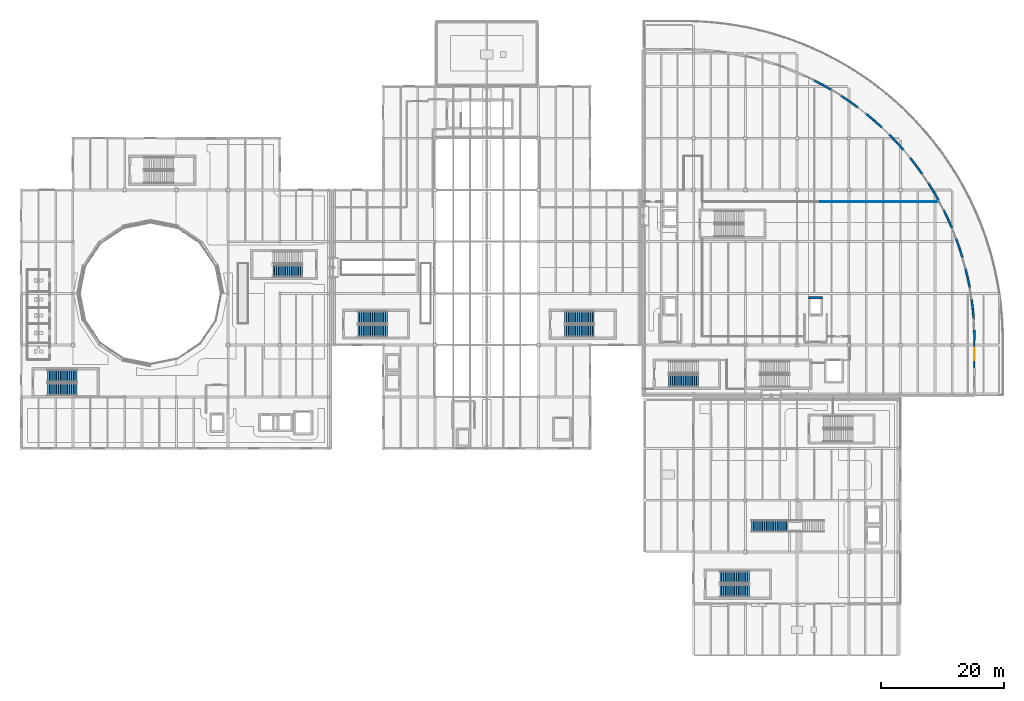
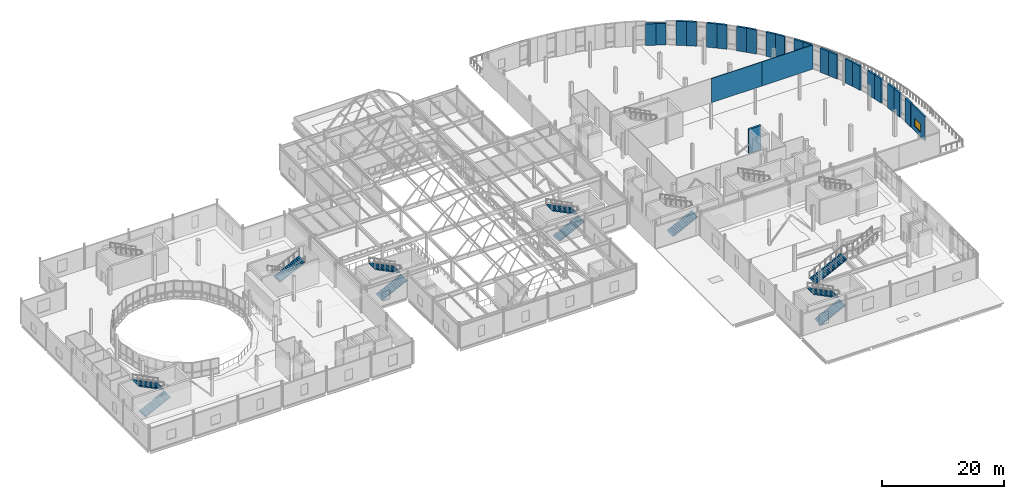
# One storey, part 70 of 103: 25 walls, 11 stair flights, 1 window, 1 opening, 7 elements without a shape of their own.
"""IFC4 building model written with IfcOpenShell, lengths in metres."""

from ifc_helpers import new_model, si_unit, direction, frame, frame_2d, origin, place, context, subcontext, project, spatial, polyline, rectangle, outline, extrude, material, layer, layer_set, type_object, element, fill, aggregate, save


model = new_model("IFC4")

# Units and contexts
model_context = context("Model", 3, precision=1e-05, world=origin(), true_north=direction((0.0, 1.0)))
body_context = subcontext(model_context, "Body", "Model", "MODEL_VIEW")
ifc_project = project(units=[si_unit("LENGTHUNIT", "METRE"), si_unit("AREAUNIT", "SQUARE_METRE"), si_unit("VOLUMEUNIT", "CUBIC_METRE"), si_unit("PLANEANGLEUNIT", "RADIAN"), si_unit("MASSUNIT", "GRAM", prefix="KILO"), si_unit("THERMODYNAMICTEMPERATUREUNIT", "KELVIN")], contexts=[model_context])

# Site, building, storey
site_placement = place(None, origin())
site = spatial("IfcSite", under=ifc_project, at=site_placement, CompositionType="ELEMENT")
building_placement = place(site_placement, origin())
building = spatial("IfcBuilding", under=site, at=building_placement, Name="Lustrewick Department Store", CompositionType="ELEMENT")
storey_placement = place(building_placement, frame((0.0, 0.0, 16.5)))
storey = spatial("IfcBuildingStorey", under=building, at=storey_placement, Name="L04", CompositionType="ELEMENT", Elevation=16.5)

# Wall, opening, window
ifc_material_1 = material(Name="Precast concrete C40", Category="concrete")
ifc_layer_1 = layer(ifc_material_1, 0.239990234375, Name="Precast concrete C40")
ifc_layer_set_1 = layer_set([ifc_layer_1], Name="Precast concrete C40")
wall_type_1 = type_object("IfcWallType", Name="EW01", PredefinedType="STANDARD", material=ifc_layer_set_1)
wall_1_placement = place(storey_placement, frame((163.199951171875, 55.074951171875, 0.0), z_axis=(0.0, 0.0, 1.0), x_axis=(0.0, 1.0, 0.0)))
wall_1 = element("IfcWall", 1, at=wall_1_placement, inside=storey, type_object=wall_type_1, Name="L04 V4 Exterior Wall EW01", PredefinedType="STANDARD", context=body_context, shape_type="SweptSolid", body=[
    extrude(rectangle(XDim=4.525146484375, YDim=0.239990234375, at=frame_2d((2.2626953125, 0.0))), origin(), (0.0, 0.0, 1.0), 4.844970703125),
])
opening_placement = place(wall_1_placement, frame((1.262451171875, 0.0, 0.949951171875)))
opening = element("IfcOpeningElement", 2, at=opening_placement, cuts=wall_1, Name="Opening WN20", PredefinedType="OPENING", context=body_context, shape_type="SweptSolid", body=[
    extrude(rectangle(XDim=2.0, YDim=1.60009765625, at=frame_2d((1.0, 0.800048828125))), frame((0.0, 0.1298828125, 0.0), z_axis=(0.0, -1.0, 0.0), x_axis=(1.0, 0.0, 0.0)), (0.0, 0.0, 1.0), 0.260009765625),
])
ifc_material_2 = material(Name="Thermally broken Low-E triple-glazed window", Category="glass")
window_type = type_object("IfcWindowType", Name="WN20", PartitioningType="DOUBLE_PANEL_VERTICAL", PredefinedType="WINDOW", material=ifc_material_2)
window_placement = place(opening_placement, origin())
window = element("IfcWindow", 3, at=window_placement, inside=storey, type_object=window_type, Name="L04 Art Nouveau Window WN20", OverallHeight=1.60009765625, OverallWidth=2.0, PartitioningType="SINGLE_PANEL", PredefinedType="WINDOW", context=body_context, shape_type="SweptSolid", body=[
    extrude(rectangle(XDim=2.0, YDim=1.60009765625, at=frame_2d((1.0, 0.800048828125))), frame((0.0, 0.030029296875, 0.0), z_axis=(0.0, -1.0, 0.0), x_axis=(1.0, 0.0, 0.0)), (0.0, 0.0, 1.0), 0.06005859375),
])
fill(opening, window)

# Walls
ifc_layer_2 = layer(ifc_material_1, 0.35009765625, Name="Precast concrete C40")
ifc_layer_set_2 = layer_set([ifc_layer_2], Name="Precast concrete C40")
wall_type_2 = type_object("IfcWallType", Name="EW06", PredefinedType="STANDARD", material=ifc_layer_set_2)
for number, where, z_axis, x_axis, name in (
    (4, (163.199951171875, 59.60009765625, 0.0), (0.0, 0.0, 1.0), (-0.017823255339, 0.999841153168, 0.0), "L04 V4 Exterior Wall EW06"),
    (5, (163.07958984375, 62.96728515625, 0.0), (0.0, 0.0, 1.0), (-0.088967876125, 0.996034495898, 0.0), "L04 V4 Exterior Wall EW06"),
):
    element("IfcWall", number, at=place(storey_placement, frame(where, z_axis=z_axis, x_axis=x_axis)), inside=storey, type_object=wall_type_2, Name=name, PredefinedType="STANDARD", context=body_context, shape_type="SweptSolid", body=[
        extrude(rectangle(XDim=1.684814453125, YDim=0.35009765625, at=frame_2d((0.84228515625, 0.0))), origin(), (0.0, 0.0, 1.0), 4.844970703125),
    ])
for number, where, z_axis, x_axis, name in (
    (6, (162.9296875, 64.6455078125, 0.0), (0.0, 0.0, 1.0), (-0.12474799403, 0.992188458906, 0.0), "L04 V4 Exterior Wall EW06"),
    (7, (162.449951171875, 67.98046875, 0.0), (0.0, 0.0, 1.0), (-0.195029298701, 0.980797416722, 0.0), "L04 V4 Exterior Wall EW06"),
    (8, (162.121337890625, 69.633056640625, 0.0), (0.0, 0.0, 1.0), (-0.229935635724, 0.973205838158, 0.0), "L04 V4 Exterior Wall EW06"),
):
    element("IfcWall", number, at=place(storey_placement, frame(where, z_axis=z_axis, x_axis=x_axis)), inside=storey, type_object=wall_type_2, Name=name, PredefinedType="STANDARD", context=body_context, shape_type="SweptSolid", body=[
        extrude(rectangle(XDim=1.68505859375, YDim=0.35009765625, at=frame_2d((0.842529296875, 0.0))), origin(), (0.0, 0.0, 1.0), 4.844970703125),
    ])
wall_2_placement = place(storey_placement, frame((161.2880859375, 72.897705078125, 0.0), z_axis=(0.0, 0.0, 1.0), x_axis=(-0.298786487998, 0.954319985429, 0.0)))
element("IfcWall", 9, at=wall_2_placement, inside=storey, type_object=wall_type_2, Name="L04 V4 Exterior Wall EW06", PredefinedType="STANDARD", context=body_context, shape_type="SweptSolid", body=[
    extrude(rectangle(XDim=1.684814453125, YDim=0.35009765625, at=frame_2d((0.84228515625, 0.0))), origin(), (0.0, 0.0, 1.0), 4.844970703125),
])
for number, where, z_axis, x_axis, name in (
    (10, (160.78466796875, 74.505615234375, 0.0), (0.0, 0.0, 1.0), (-0.332653384624, 0.943049163988, 0.0), "L04 V4 Exterior Wall EW06"),
    (11, (159.607177734375, 77.66259765625, 0.0), (0.0, 0.0, 1.0), (-0.399176402146, 0.9168741462, 0.0), "L04 V4 Exterior Wall EW06"),
    (12, (158.9345703125, 79.20751953125, 0.0), (0.0, 0.0, 1.0), (-0.431496513213, 0.902114604186, 0.0), "L04 V4 Exterior Wall EW06"),
):
    element("IfcWall", number, at=place(storey_placement, frame(where, z_axis=z_axis, x_axis=x_axis)), inside=storey, type_object=wall_type_2, Name=name, PredefinedType="STANDARD", context=body_context, shape_type="SweptSolid", body=[
        extrude(rectangle(XDim=1.68505859375, YDim=0.35009765625, at=frame_2d((0.842529296875, 0.0))), origin(), (0.0, 0.0, 1.0), 4.844970703125),
    ])
for number, where, z_axis, x_axis, name in (
    (13, (157.426513671875, 82.220703125, 0.0), (0.0, 0.0, 1.0), (-0.494843177909, 0.868982295146, 0.0), "L04 V4 Exterior Wall EW06"),
    (14, (156.5927734375, 83.684814453125, 0.0), (0.0, 0.0, 1.0), (-0.525576174536, 0.850746545547, 0.0), "L04 V4 Exterior Wall EW06"),
):
    element("IfcWall", number, at=place(storey_placement, frame(where, z_axis=z_axis, x_axis=x_axis)), inside=storey, type_object=wall_type_2, Name=name, PredefinedType="STANDARD", context=body_context, shape_type="SweptSolid", body=[
        extrude(rectangle(XDim=1.684814453125, YDim=0.35009765625, at=frame_2d((0.84228515625, 0.0))), origin(), (0.0, 0.0, 1.0), 4.844970703125),
    ])
wall_3_placement = place(storey_placement, frame((154.77099609375, 86.519287109375, 0.0), z_axis=(0.0, 0.0, 1.0), x_axis=(-0.584919079299, 0.811091653682, 0.0)))
element("IfcWall", 15, at=wall_3_placement, inside=storey, type_object=wall_type_2, Name="L04 V4 Exterior Wall EW06", PredefinedType="STANDARD", context=body_context, shape_type="SweptSolid", body=[
    extrude(rectangle(XDim=1.68505859375, YDim=0.35009765625, at=frame_2d((0.842529296875, 0.0))), origin(), (0.0, 0.0, 1.0), 4.844970703125),
])
for number, where, z_axis, x_axis, name in (
    (16, (153.785400390625, 87.885986328125, 0.0), (0.0, 0.0, 1.0), (-0.613408761896, 0.78976559233, 0.0), "L04 V4 Exterior Wall EW06"),
    (17, (151.67138671875, 90.509521484375, 0.0), (0.0, 0.0, 1.0), (-0.668275972435, 0.743913452403, 0.0), "L04 V4 Exterior Wall EW06"),
    (18, (150.54541015625, 91.762939453125, 0.0), (0.0, 0.0, 1.0), (-0.694387604377, 0.719601177658, 0.0), "L04 V4 Exterior Wall EW06"),
    (19, (148.162841796875, 94.1455078125, 0.0), (0.0, 0.0, 1.0), (-0.743913452403, 0.668275972435, 0.0), "L04 V4 Exterior Wall EW06"),
    (20, (146.909423828125, 95.271484375, 0.0), (0.0, 0.0, 1.0), (-0.767389239586, 0.641181530432, 0.0), "L04 V4 Exterior Wall EW06"),
):
    element("IfcWall", number, at=place(storey_placement, frame(where, z_axis=z_axis, x_axis=x_axis)), inside=storey, type_object=wall_type_2, Name=name, PredefinedType="STANDARD", context=body_context, shape_type="SweptSolid", body=[
        extrude(rectangle(XDim=1.684814453125, YDim=0.35009765625, at=frame_2d((0.84228515625, 0.0))), origin(), (0.0, 0.0, 1.0), 4.844970703125),
    ])
wall_4_placement = place(storey_placement, frame((144.285888671875, 97.385498046875, 0.0), z_axis=(0.0, 0.0, 1.0), x_axis=(-0.811091653682, 0.584919079299, 0.0)))
element("IfcWall", 21, at=wall_4_placement, inside=storey, type_object=wall_type_2, Name="L04 V4 Exterior Wall EW06", PredefinedType="STANDARD", context=body_context, shape_type="SweptSolid", body=[
    extrude(rectangle(XDim=1.68505859375, YDim=0.35009765625, at=frame_2d((0.842529296875, 0.0))), origin(), (0.0, 0.0, 1.0), 4.844970703125),
])
wall_5_placement = place(storey_placement, frame((142.919189453125, 98.37109375, 0.0), z_axis=(0.0, 0.0, 1.0), x_axis=(-0.831470216374, 0.555569328961, 0.0)))
element("IfcWall", 22, at=wall_5_placement, inside=storey, type_object=wall_type_2, Name="L04 V4 Exterior Wall EW06", PredefinedType="STANDARD", context=body_context, shape_type="SweptSolid", body=[
    extrude(rectangle(XDim=1.684814453125, YDim=0.35009765625, at=frame_2d((0.84228515625, 0.0))), origin(), (0.0, 0.0, 1.0), 4.844970703125),
])
wall_6_placement = place(storey_placement, frame((140.084716796875, 100.192626953125, 0.0), z_axis=(0.0, 0.0, 1.0), x_axis=(-0.868982295146, 0.494843177909, 0.0)))
element("IfcWall", 23, at=wall_6_placement, inside=storey, type_object=wall_type_2, Name="L04 V4 Exterior Wall EW06", PredefinedType="STANDARD", context=body_context, shape_type="SweptSolid", body=[
    extrude(rectangle(XDim=1.684814453125, YDim=0.35009765625, at=frame_2d((0.84228515625, 0.0))), origin(), (0.0, 0.0, 1.0), 4.320068359375),
])
wall_7_placement = place(storey_placement, frame((138.62060546875, 101.0263671875, 0.0), z_axis=(0.0, 0.0, 1.0), x_axis=(-0.886106451713, 0.463481775512, 0.0)))
element("IfcWall", 24, at=wall_7_placement, inside=storey, type_object=wall_type_2, Name="L04 V4 Exterior Wall EW06", PredefinedType="STANDARD", context=body_context, shape_type="SweptSolid", body=[
    extrude(rectangle(XDim=1.68505859375, YDim=0.35009765625, at=frame_2d((0.842529296875, 0.0))), origin(), (0.0, 0.0, 1.0), 4.320068359375),
])
ifc_material_3 = material(Name="Acoustic gypsum stud office partition", Category="gypsum")
ifc_layer_3 = layer(ifc_material_3, 0.1201171875, Name="Acoustic gypsum stud office partition")
ifc_layer_set_3 = layer_set([ifc_layer_3], Name="Acoustic gypsum stud office partition")
wall_type_3 = type_object("IfcWallType", Name="PW07", PredefinedType="PARTITIONING", material=ifc_layer_set_3)
wall_8_placement = place(storey_placement, frame((157.472900390625, 82.088623046875, 0.0), z_axis=(0.0, 0.0, 1.0), x_axis=(-1.0, 0.0, 0.0)))
element("IfcWall", 25, at=wall_8_placement, inside=storey, type_object=wall_type_3, Name="L04 Store Buying Office PW07", PredefinedType="PARTITIONING", context=body_context, shape_type="SweptSolid", body=[
    extrude(rectangle(XDim=9.71728515625, YDim=0.1201171875, at=frame_2d((4.858642578125, 0.0))), origin(), (0.0, 0.0, 1.0), 4.844970703125),
])
wall_9_placement = place(storey_placement, frame((147.755615234375, 82.088623046875, 0.0), z_axis=(0.0, 0.0, 1.0), x_axis=(-1.0, 0.0, 0.0)))
element("IfcWall", 26, at=wall_9_placement, inside=storey, type_object=wall_type_3, Name="L04 Store Buying Office PW07", PredefinedType="PARTITIONING", context=body_context, shape_type="SweptSolid", body=[
    extrude(rectangle(XDim=9.58203125, YDim=0.1201171875, at=frame_2d((4.791015625, 0.0))), origin(), (0.0, 0.0, 1.0), 4.844970703125),
])
ifc_material_4 = material(Name="Concrete C40", Category="concrete")
ifc_layer_4 = layer(ifc_material_4, 0.360107421875, Name="Concrete C40")
ifc_layer_set_4 = layer_set([ifc_layer_4], Name="Concrete C40")
wall_type_4 = type_object("IfcWallType", Name="SW04", PredefinedType="SHEAR", material=ifc_layer_set_4)
wall_10_placement = place(storey_placement, frame((138.56005859375, 66.47998046875, 0.0), z_axis=(0.0, 0.0, 1.0), x_axis=(-1.0, 0.0, 0.0)))
element("IfcWall", 27, at=wall_10_placement, inside=storey, type_object=wall_type_4, Name="L04 Lift FFL-03 Shaft Wall +Y", PredefinedType="SHEAR", context=body_context, shape_type="SweptSolid", body=[
    extrude(rectangle(XDim=2.320068359375, YDim=0.360107421875, at=frame_2d((1.16015625, 0.0))), origin(), (0.0, 0.0, 1.0), 4.844970703125),
])

# Stair, stair flight
ifc_material_5 = material(Name="Structural steel S355 (Q355B)", Category="steel")
stair_type_1 = type_object("IfcStairType", Name="AST04", PredefinedType="STRAIGHT_RUN_STAIR", material=ifc_material_5)
stair_1_placement = place(storey_placement, origin())
stair_1 = element("IfcStair", 28, at=stair_1_placement, inside=storey, type_object=stair_type_1, Name="L04 Architectural Feature Stair AST04", PredefinedType="STRAIGHT_RUN_STAIR")
stair_flight_type_1 = type_object("IfcStairFlightType", Name="SF-A4", PredefinedType="STRAIGHT", material=ifc_material_5)
stair_flight_1_placement = place(storey_placement, frame((127.0, 29.39990234375, 0.0), z_axis=(0.0, 0.0, 1.0), x_axis=(1.0, 0.0, 0.0)))
stair_flight_1 = element("IfcStairFlight", 29, at=stair_flight_1_placement, type_object=stair_flight_type_1, Name="AST04 flight 1", NumberOfRisers=21, NumberOfTreads=20, PredefinedType="STRAIGHT", RiserHeight=0.15, TreadLength=0.3, context=body_context, shape_type="SweptSolid", body=[
    extrude(outline(polyline([(0.0, 0.0), (0.0, 0.14990234375), (0.300048828125, 0.14990234375), (0.300048828125, 0.300048828125), (0.60009765625, 0.300048828125), (0.60009765625, 0.449951171875), (0.89990234375, 0.449951171875), (0.89990234375, 0.60009765625), (1.199951171875, 0.60009765625), (1.199951171875, 0.75), (1.5, 0.75), (1.5, 0.89990234375), (1.800048828125, 0.89990234375), (1.800048828125, 1.050048828125), (2.10009765625, 1.050048828125), (2.10009765625, 1.199951171875), (2.39990234375, 1.199951171875), (2.39990234375, 1.35009765625), (2.699951171875, 1.35009765625), (2.699951171875, 1.5), (3.0, 1.5), (3.0, 1.64990234375), (3.300048828125, 1.64990234375), (3.300048828125, 1.800048828125), (3.60009765625, 1.800048828125), (3.60009765625, 1.949951171875), (3.89990234375, 1.949951171875), (3.89990234375, 2.10009765625), (4.199951171875, 2.10009765625), (4.199951171875, 2.25), (4.5, 2.25), (4.5, 2.39990234375), (4.800048828125, 2.39990234375), (4.800048828125, 2.550048828125), (5.10009765625, 2.550048828125), (5.10009765625, 2.699951171875), (5.39990234375, 2.699951171875), (5.39990234375, 2.85009765625), (5.699951171875, 2.85009765625), (5.699951171875, 3.0), (6.0, 3.0), (6.0, 3.14990234375), (6.0, 2.8212890625), (0.357666015625, 0.0), (0.0, 0.0)])), frame((0.0, 0.949951171875, 0.0), z_axis=(0.0, -1.0, 0.0), x_axis=(1.0, 0.0, 0.0)), (0.0, 0.0, 1.0), 1.89990234375),
])
aggregate(stair_1, [stair_flight_1])

# Stair, stair flights
ifc_material_6 = material(Name="Concrete C30", Category="concrete")
stair_type_2 = type_object("IfcStairType", Name="ST-H51", PredefinedType="HALF_TURN_STAIR", material=ifc_material_6)
stair_2_placement = place(storey_placement, origin())
stair_2 = element("IfcStair", 30, at=stair_2_placement, inside=storey, type_object=stair_type_2, Name="L04 Smoke-Proof Exit Stair ST01", PredefinedType="HALF_TURN_STAIR")
stair_flight_type_2 = type_object("IfcStairFlightType", Name="SF-H51", PredefinedType="STRAIGHT", material=ifc_material_6)
stair_flight_2_placement = place(storey_placement, frame((12.64990234375, 51.60009765625, 0.0), z_axis=(0.0, 0.0, 1.0), x_axis=(1.0, 0.0, 0.0)))
stair_flight_2 = element("IfcStairFlight", 31, at=stair_flight_2_placement, type_object=stair_flight_type_2, Name="ST-H51 flight 1", NumberOfRisers=17, NumberOfTreads=16, PredefinedType="STRAIGHT", RiserHeight=0.15, TreadLength=0.3, context=body_context, shape_type="SweptSolid", body=[
    extrude(outline(polyline([(0.0, 0.0), (0.0, 0.14990234375), (0.300048828125, 0.14990234375), (0.300048828125, 0.300048828125), (0.60009765625, 0.300048828125), (0.60009765625, 0.449951171875), (0.89990234375, 0.449951171875), (0.89990234375, 0.60009765625), (1.199951171875, 0.60009765625), (1.199951171875, 0.75), (1.5, 0.75), (1.5, 0.89990234375), (1.800048828125, 0.89990234375), (1.800048828125, 1.050048828125), (2.10009765625, 1.050048828125), (2.10009765625, 1.199951171875), (2.39990234375, 1.199951171875), (2.39990234375, 1.35009765625), (2.699951171875, 1.35009765625), (2.699951171875, 1.5), (3.0, 1.5), (3.0, 1.64990234375), (3.300048828125, 1.64990234375), (3.300048828125, 1.800048828125), (3.60009765625, 1.800048828125), (3.60009765625, 1.949951171875), (3.89990234375, 1.949951171875), (3.89990234375, 2.10009765625), (4.199951171875, 2.10009765625), (4.199951171875, 2.25), (4.5, 2.25), (4.5, 2.39990234375), (4.800048828125, 2.39990234375), (4.800048828125, 2.550048828125), (4.800048828125, 2.22119140625), (0.357666015625, 0.0), (0.0, 0.0)])), frame((0.0, 1.0, 0.0), z_axis=(0.0, -1.0, 0.0), x_axis=(1.0, 0.0, 0.0)), (0.0, 0.0, 1.0), 2.0),
])
stair_flight_3_placement = place(storey_placement, frame((17.449951171875, 53.800048828125, 2.550048828125), z_axis=(0.0, 0.0, 1.0), x_axis=(-1.0, 0.0, 0.0)))
stair_flight_3 = element("IfcStairFlight", 32, at=stair_flight_3_placement, type_object=stair_flight_type_2, Name="ST-H51 flight 2", NumberOfRisers=17, NumberOfTreads=16, PredefinedType="STRAIGHT", RiserHeight=0.15, TreadLength=0.3, context=body_context, shape_type="SweptSolid", body=[
    extrude(outline(polyline([(0.0, 0.0), (0.0, 0.14990234375), (0.300048828125, 0.14990234375), (0.300048828125, 0.300048828125), (0.60009765625, 0.300048828125), (0.60009765625, 0.449951171875), (0.89990234375, 0.449951171875), (0.89990234375, 0.60009765625), (1.199951171875, 0.60009765625), (1.199951171875, 0.75), (1.5, 0.75), (1.5, 0.89990234375), (1.800048828125, 0.89990234375), (1.800048828125, 1.050048828125), (2.10009765625, 1.050048828125), (2.10009765625, 1.199951171875), (2.39990234375, 1.199951171875), (2.39990234375, 1.35009765625), (2.699951171875, 1.35009765625), (2.699951171875, 1.5), (3.0, 1.5), (3.0, 1.64990234375), (3.300048828125, 1.64990234375), (3.300048828125, 1.800048828125), (3.60009765625, 1.800048828125), (3.60009765625, 1.949951171875), (3.89990234375, 1.949951171875), (3.89990234375, 2.10009765625), (4.199951171875, 2.10009765625), (4.199951171875, 2.25), (4.5, 2.25), (4.5, 2.39990234375), (4.800048828125, 2.39990234375), (4.800048828125, 2.550048828125), (4.800048828125, 2.22119140625), (0.357666015625, 0.0), (0.0, 0.0)])), frame((0.0, 1.0, 0.0), z_axis=(0.0, -1.0, 0.0), x_axis=(1.0, 0.0, 0.0)), (0.0, 0.0, 1.0), 2.0),
])
aggregate(stair_2, [stair_flight_2, stair_flight_3])

# Stair, stair flight
stair_3_placement = place(storey_placement, origin())
stair_3 = element("IfcStair", 33, at=stair_3_placement, inside=storey, type_object=stair_type_2, Name="L04 Smoke-Proof Exit Stair ST02", PredefinedType="HALF_TURN_STAIR")
stair_flight_4_placement = place(storey_placement, frame((49.25, 70.800048828125, 2.550048828125), z_axis=(0.0, 0.0, 1.0), x_axis=(1.0, 0.0, 0.0)))
stair_flight_4 = element("IfcStairFlight", 34, at=stair_flight_4_placement, type_object=stair_flight_type_2, Name="ST-H51 flight 2", NumberOfRisers=17, NumberOfTreads=16, PredefinedType="STRAIGHT", RiserHeight=0.15, TreadLength=0.3, context=body_context, shape_type="SweptSolid", body=[
    extrude(outline(polyline([(0.0, 0.0), (0.0, 0.14990234375), (0.300048828125, 0.14990234375), (0.300048828125, 0.300048828125), (0.60009765625, 0.300048828125), (0.60009765625, 0.449951171875), (0.89990234375, 0.449951171875), (0.89990234375, 0.60009765625), (1.199951171875, 0.60009765625), (1.199951171875, 0.75), (1.5, 0.75), (1.5, 0.89990234375), (1.800048828125, 0.89990234375), (1.800048828125, 1.050048828125), (2.10009765625, 1.050048828125), (2.10009765625, 1.199951171875), (2.39990234375, 1.199951171875), (2.39990234375, 1.35009765625), (2.699951171875, 1.35009765625), (2.699951171875, 1.5), (3.0, 1.5), (3.0, 1.64990234375), (3.300048828125, 1.64990234375), (3.300048828125, 1.800048828125), (3.60009765625, 1.800048828125), (3.60009765625, 1.949951171875), (3.89990234375, 1.949951171875), (3.89990234375, 2.10009765625), (4.199951171875, 2.10009765625), (4.199951171875, 2.25), (4.5, 2.25), (4.5, 2.39990234375), (4.800048828125, 2.39990234375), (4.800048828125, 2.550048828125), (4.800048828125, 2.22119140625), (0.357666015625, 0.0), (0.0, 0.0)])), frame((0.0, 1.0, 0.0), z_axis=(0.0, -1.0, 0.0), x_axis=(1.0, 0.0, 0.0)), (0.0, 0.0, 1.0), 2.0),
])
aggregate(stair_3, [stair_flight_4])

# Stair, stair flights
stair_4_placement = place(storey_placement, origin())
stair_4 = element("IfcStair", 35, at=stair_4_placement, inside=storey, type_object=stair_type_2, Name="L04 Smoke-Proof Exit Stair ST04", PredefinedType="HALF_TURN_STAIR")
stair_flight_5_placement = place(storey_placement, frame((63.050048828125, 61.10009765625, 0.0), z_axis=(0.0, 0.0, 1.0), x_axis=(1.0, 0.0, 0.0)))
stair_flight_5 = element("IfcStairFlight", 36, at=stair_flight_5_placement, type_object=stair_flight_type_2, Name="ST-H51 flight 1", NumberOfRisers=17, NumberOfTreads=16, PredefinedType="STRAIGHT", RiserHeight=0.15, TreadLength=0.3, context=body_context, shape_type="SweptSolid", body=[
    extrude(outline(polyline([(0.0, 0.0), (0.0, 0.14990234375), (0.300048828125, 0.14990234375), (0.300048828125, 0.300048828125), (0.60009765625, 0.300048828125), (0.60009765625, 0.449951171875), (0.89990234375, 0.449951171875), (0.89990234375, 0.60009765625), (1.199951171875, 0.60009765625), (1.199951171875, 0.75), (1.5, 0.75), (1.5, 0.89990234375), (1.800048828125, 0.89990234375), (1.800048828125, 1.050048828125), (2.10009765625, 1.050048828125), (2.10009765625, 1.199951171875), (2.39990234375, 1.199951171875), (2.39990234375, 1.35009765625), (2.699951171875, 1.35009765625), (2.699951171875, 1.5), (3.0, 1.5), (3.0, 1.64990234375), (3.300048828125, 1.64990234375), (3.300048828125, 1.800048828125), (3.60009765625, 1.800048828125), (3.60009765625, 1.949951171875), (3.89990234375, 1.949951171875), (3.89990234375, 2.10009765625), (4.199951171875, 2.10009765625), (4.199951171875, 2.25), (4.5, 2.25), (4.5, 2.39990234375), (4.800048828125, 2.39990234375), (4.800048828125, 2.550048828125), (4.800048828125, 2.22119140625), (0.357666015625, 0.0), (0.0, 0.0)])), frame((0.0, 1.0, 0.0), z_axis=(0.0, -1.0, 0.0), x_axis=(1.0, 0.0, 0.0)), (0.0, 0.0, 1.0), 2.0),
])
stair_flight_6_placement = place(storey_placement, frame((67.85009765625, 63.300048828125, 2.550048828125), z_axis=(0.0, 0.0, 1.0), x_axis=(-1.0, 0.0, 0.0)))
stair_flight_6 = element("IfcStairFlight", 37, at=stair_flight_6_placement, type_object=stair_flight_type_2, Name="ST-H51 flight 2", NumberOfRisers=17, NumberOfTreads=16, PredefinedType="STRAIGHT", RiserHeight=0.15, TreadLength=0.3, context=body_context, shape_type="SweptSolid", body=[
    extrude(outline(polyline([(0.0, 0.0), (0.0, 0.14990234375), (0.300048828125, 0.14990234375), (0.300048828125, 0.300048828125), (0.60009765625, 0.300048828125), (0.60009765625, 0.449951171875), (0.89990234375, 0.449951171875), (0.89990234375, 0.60009765625), (1.199951171875, 0.60009765625), (1.199951171875, 0.75), (1.5, 0.75), (1.5, 0.89990234375), (1.800048828125, 0.89990234375), (1.800048828125, 1.050048828125), (2.10009765625, 1.050048828125), (2.10009765625, 1.199951171875), (2.39990234375, 1.199951171875), (2.39990234375, 1.35009765625), (2.699951171875, 1.35009765625), (2.699951171875, 1.5), (3.0, 1.5), (3.0, 1.64990234375), (3.300048828125, 1.64990234375), (3.300048828125, 1.800048828125), (3.60009765625, 1.800048828125), (3.60009765625, 1.949951171875), (3.89990234375, 1.949951171875), (3.89990234375, 2.10009765625), (4.199951171875, 2.10009765625), (4.199951171875, 2.25), (4.5, 2.25), (4.5, 2.39990234375), (4.800048828125, 2.39990234375), (4.800048828125, 2.550048828125), (4.800048828125, 2.22119140625), (0.357666015625, 0.0), (0.0, 0.0)])), frame((0.0, 1.0, 0.0), z_axis=(0.0, -1.0, 0.0), x_axis=(1.0, 0.0, 0.0)), (0.0, 0.0, 1.0), 2.0),
])
aggregate(stair_4, [stair_flight_5, stair_flight_6])

stair_5_placement = place(storey_placement, origin())
stair_5 = element("IfcStair", 38, at=stair_5_placement, inside=storey, type_object=stair_type_2, Name="L04 Smoke-Proof Exit Stair ST05", PredefinedType="HALF_TURN_STAIR")
stair_flight_7_placement = place(storey_placement, frame((96.64990234375, 61.10009765625, 0.0), z_axis=(0.0, 0.0, 1.0), x_axis=(1.0, 0.0, 0.0)))
stair_flight_7 = element("IfcStairFlight", 39, at=stair_flight_7_placement, type_object=stair_flight_type_2, Name="ST-H51 flight 1", NumberOfRisers=17, NumberOfTreads=16, PredefinedType="STRAIGHT", RiserHeight=0.15, TreadLength=0.3, context=body_context, shape_type="SweptSolid", body=[
    extrude(outline(polyline([(0.0, 0.0), (0.0, 0.14990234375), (0.300048828125, 0.14990234375), (0.300048828125, 0.300048828125), (0.60009765625, 0.300048828125), (0.60009765625, 0.449951171875), (0.89990234375, 0.449951171875), (0.89990234375, 0.60009765625), (1.199951171875, 0.60009765625), (1.199951171875, 0.75), (1.5, 0.75), (1.5, 0.89990234375), (1.800048828125, 0.89990234375), (1.800048828125, 1.050048828125), (2.10009765625, 1.050048828125), (2.10009765625, 1.199951171875), (2.39990234375, 1.199951171875), (2.39990234375, 1.35009765625), (2.699951171875, 1.35009765625), (2.699951171875, 1.5), (3.0, 1.5), (3.0, 1.64990234375), (3.300048828125, 1.64990234375), (3.300048828125, 1.800048828125), (3.60009765625, 1.800048828125), (3.60009765625, 1.949951171875), (3.89990234375, 1.949951171875), (3.89990234375, 2.10009765625), (4.199951171875, 2.10009765625), (4.199951171875, 2.25), (4.5, 2.25), (4.5, 2.39990234375), (4.800048828125, 2.39990234375), (4.800048828125, 2.550048828125), (4.800048828125, 2.22119140625), (0.357666015625, 0.0), (0.0, 0.0)])), frame((0.0, 1.0, 0.0), z_axis=(0.0, -1.0, 0.0), x_axis=(1.0, 0.0, 0.0)), (0.0, 0.0, 1.0), 2.0),
])
stair_flight_8_placement = place(storey_placement, frame((101.449951171875, 63.300048828125, 2.550048828125), z_axis=(0.0, 0.0, 1.0), x_axis=(-1.0, 0.0, 0.0)))
stair_flight_8 = element("IfcStairFlight", 40, at=stair_flight_8_placement, type_object=stair_flight_type_2, Name="ST-H51 flight 2", NumberOfRisers=17, NumberOfTreads=16, PredefinedType="STRAIGHT", RiserHeight=0.15, TreadLength=0.3, context=body_context, shape_type="SweptSolid", body=[
    extrude(outline(polyline([(0.0, 0.0), (0.0, 0.14990234375), (0.300048828125, 0.14990234375), (0.300048828125, 0.300048828125), (0.60009765625, 0.300048828125), (0.60009765625, 0.449951171875), (0.89990234375, 0.449951171875), (0.89990234375, 0.60009765625), (1.199951171875, 0.60009765625), (1.199951171875, 0.75), (1.5, 0.75), (1.5, 0.89990234375), (1.800048828125, 0.89990234375), (1.800048828125, 1.050048828125), (2.10009765625, 1.050048828125), (2.10009765625, 1.199951171875), (2.39990234375, 1.199951171875), (2.39990234375, 1.35009765625), (2.699951171875, 1.35009765625), (2.699951171875, 1.5), (3.0, 1.5), (3.0, 1.64990234375), (3.300048828125, 1.64990234375), (3.300048828125, 1.800048828125), (3.60009765625, 1.800048828125), (3.60009765625, 1.949951171875), (3.89990234375, 1.949951171875), (3.89990234375, 2.10009765625), (4.199951171875, 2.10009765625), (4.199951171875, 2.25), (4.5, 2.25), (4.5, 2.39990234375), (4.800048828125, 2.39990234375), (4.800048828125, 2.550048828125), (4.800048828125, 2.22119140625), (0.357666015625, 0.0), (0.0, 0.0)])), frame((0.0, 1.0, 0.0), z_axis=(0.0, -1.0, 0.0), x_axis=(1.0, 0.0, 0.0)), (0.0, 0.0, 1.0), 2.0),
])
aggregate(stair_5, [stair_flight_7, stair_flight_8])

stair_6_placement = place(storey_placement, origin())
stair_6 = element("IfcStair", 41, at=stair_6_placement, inside=storey, type_object=stair_type_2, Name="L04 Smoke-Proof Exit Stair ST07", PredefinedType="HALF_TURN_STAIR")
stair_flight_9_placement = place(storey_placement, frame((121.85009765625, 18.89990234375, 0.0), z_axis=(0.0, 0.0, 1.0), x_axis=(1.0, 0.0, 0.0)))
stair_flight_9 = element("IfcStairFlight", 42, at=stair_flight_9_placement, type_object=stair_flight_type_2, Name="ST-H51 flight 1", NumberOfRisers=17, NumberOfTreads=16, PredefinedType="STRAIGHT", RiserHeight=0.15, TreadLength=0.3, context=body_context, shape_type="SweptSolid", body=[
    extrude(outline(polyline([(0.0, 0.0), (0.0, 0.14990234375), (0.300048828125, 0.14990234375), (0.300048828125, 0.300048828125), (0.60009765625, 0.300048828125), (0.60009765625, 0.449951171875), (0.89990234375, 0.449951171875), (0.89990234375, 0.60009765625), (1.199951171875, 0.60009765625), (1.199951171875, 0.75), (1.5, 0.75), (1.5, 0.89990234375), (1.800048828125, 0.89990234375), (1.800048828125, 1.050048828125), (2.10009765625, 1.050048828125), (2.10009765625, 1.199951171875), (2.39990234375, 1.199951171875), (2.39990234375, 1.35009765625), (2.699951171875, 1.35009765625), (2.699951171875, 1.5), (3.0, 1.5), (3.0, 1.64990234375), (3.300048828125, 1.64990234375), (3.300048828125, 1.800048828125), (3.60009765625, 1.800048828125), (3.60009765625, 1.949951171875), (3.89990234375, 1.949951171875), (3.89990234375, 2.10009765625), (4.199951171875, 2.10009765625), (4.199951171875, 2.25), (4.5, 2.25), (4.5, 2.39990234375), (4.800048828125, 2.39990234375), (4.800048828125, 2.550048828125), (4.800048828125, 2.22119140625), (0.357666015625, 0.0), (0.0, 0.0)])), frame((0.0, 1.0, 0.0), z_axis=(0.0, -1.0, 0.0), x_axis=(1.0, 0.0, 0.0)), (0.0, 0.0, 1.0), 2.0),
])
stair_flight_10_placement = place(storey_placement, frame((126.64990234375, 21.10009765625, 2.550048828125), z_axis=(0.0, 0.0, 1.0), x_axis=(-1.0, 0.0, 0.0)))
stair_flight_10 = element("IfcStairFlight", 43, at=stair_flight_10_placement, type_object=stair_flight_type_2, Name="ST-H51 flight 2", NumberOfRisers=17, NumberOfTreads=16, PredefinedType="STRAIGHT", RiserHeight=0.15, TreadLength=0.3, context=body_context, shape_type="SweptSolid", body=[
    extrude(outline(polyline([(0.0, 0.0), (0.0, 0.14990234375), (0.300048828125, 0.14990234375), (0.300048828125, 0.300048828125), (0.60009765625, 0.300048828125), (0.60009765625, 0.449951171875), (0.89990234375, 0.449951171875), (0.89990234375, 0.60009765625), (1.199951171875, 0.60009765625), (1.199951171875, 0.75), (1.5, 0.75), (1.5, 0.89990234375), (1.800048828125, 0.89990234375), (1.800048828125, 1.050048828125), (2.10009765625, 1.050048828125), (2.10009765625, 1.199951171875), (2.39990234375, 1.199951171875), (2.39990234375, 1.35009765625), (2.699951171875, 1.35009765625), (2.699951171875, 1.5), (3.0, 1.5), (3.0, 1.64990234375), (3.300048828125, 1.64990234375), (3.300048828125, 1.800048828125), (3.60009765625, 1.800048828125), (3.60009765625, 1.949951171875), (3.89990234375, 1.949951171875), (3.89990234375, 2.10009765625), (4.199951171875, 2.10009765625), (4.199951171875, 2.25), (4.5, 2.25), (4.5, 2.39990234375), (4.800048828125, 2.39990234375), (4.800048828125, 2.550048828125), (4.800048828125, 2.22119140625), (0.357666015625, 0.0), (0.0, 0.0)])), frame((0.0, 1.0, 0.0), z_axis=(0.0, -1.0, 0.0), x_axis=(1.0, 0.0, 0.0)), (0.0, 0.0, 1.0), 2.0),
])
aggregate(stair_6, [stair_flight_9, stair_flight_10])

# Stair, stair flight
stair_7_placement = place(storey_placement, origin())
stair_7 = element("IfcStair", 44, at=stair_7_placement, inside=storey, type_object=stair_type_2, Name="L04 Smoke-Proof Exit Stair ST09", PredefinedType="HALF_TURN_STAIR")
stair_flight_11_placement = place(storey_placement, frame((113.550048828125, 53.0, 0.0), z_axis=(0.0, 0.0, 1.0), x_axis=(1.0, 0.0, 0.0)))
stair_flight_11 = element("IfcStairFlight", 45, at=stair_flight_11_placement, type_object=stair_flight_type_2, Name="ST-H51 flight 1", NumberOfRisers=17, NumberOfTreads=16, PredefinedType="STRAIGHT", RiserHeight=0.15, TreadLength=0.3, context=body_context, shape_type="SweptSolid", body=[
    extrude(outline(polyline([(0.0, 0.0), (0.0, 0.14990234375), (0.300048828125, 0.14990234375), (0.300048828125, 0.300048828125), (0.60009765625, 0.300048828125), (0.60009765625, 0.449951171875), (0.89990234375, 0.449951171875), (0.89990234375, 0.60009765625), (1.199951171875, 0.60009765625), (1.199951171875, 0.75), (1.5, 0.75), (1.5, 0.89990234375), (1.800048828125, 0.89990234375), (1.800048828125, 1.050048828125), (2.10009765625, 1.050048828125), (2.10009765625, 1.199951171875), (2.39990234375, 1.199951171875), (2.39990234375, 1.35009765625), (2.699951171875, 1.35009765625), (2.699951171875, 1.5), (3.0, 1.5), (3.0, 1.64990234375), (3.300048828125, 1.64990234375), (3.300048828125, 1.800048828125), (3.60009765625, 1.800048828125), (3.60009765625, 1.949951171875), (3.89990234375, 1.949951171875), (3.89990234375, 2.10009765625), (4.199951171875, 2.10009765625), (4.199951171875, 2.25), (4.5, 2.25), (4.5, 2.39990234375), (4.800048828125, 2.39990234375), (4.800048828125, 2.550048828125), (4.800048828125, 2.22119140625), (0.357666015625, 0.0), (0.0, 0.0)])), frame((0.0, 1.0, 0.0), z_axis=(0.0, -1.0, 0.0), x_axis=(1.0, 0.0, 0.0)), (0.0, 0.0, 1.0), 2.0),
])
aggregate(stair_7, [stair_flight_11])

save(model, "model.ifc")
